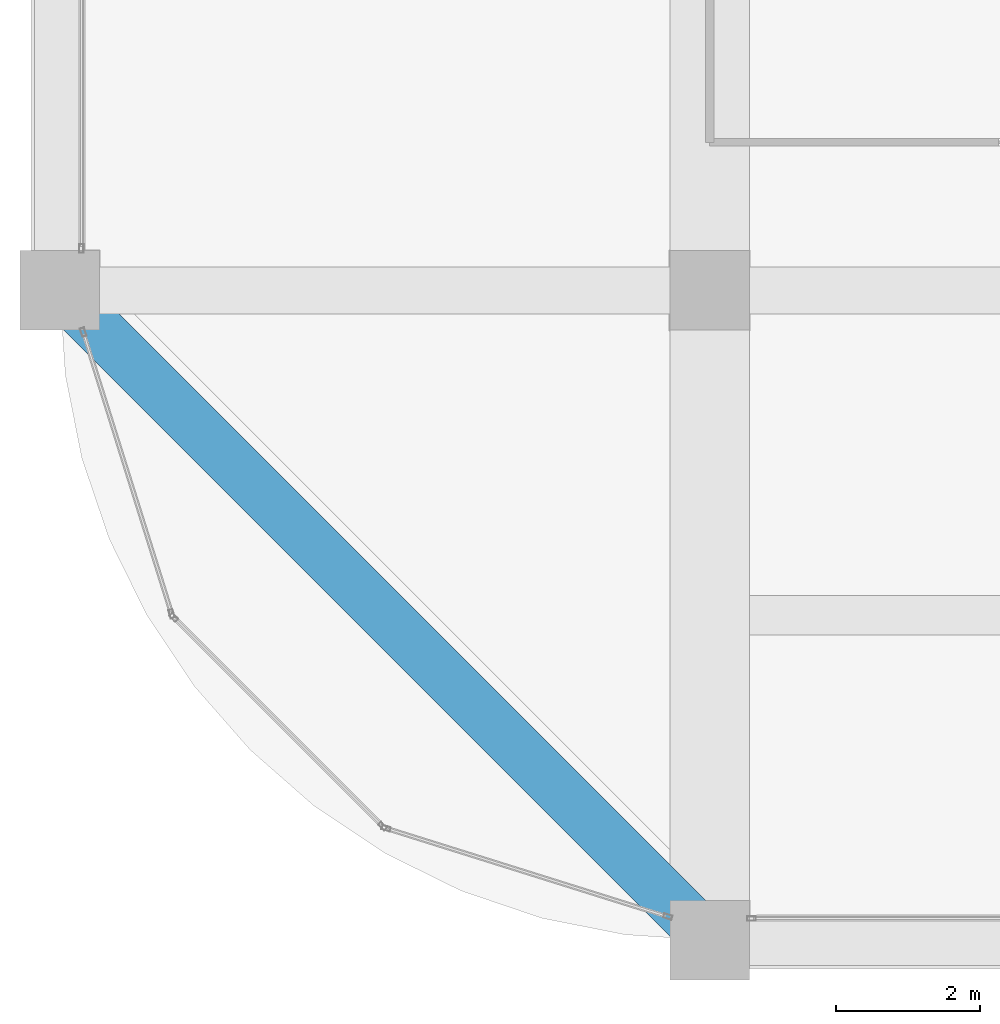
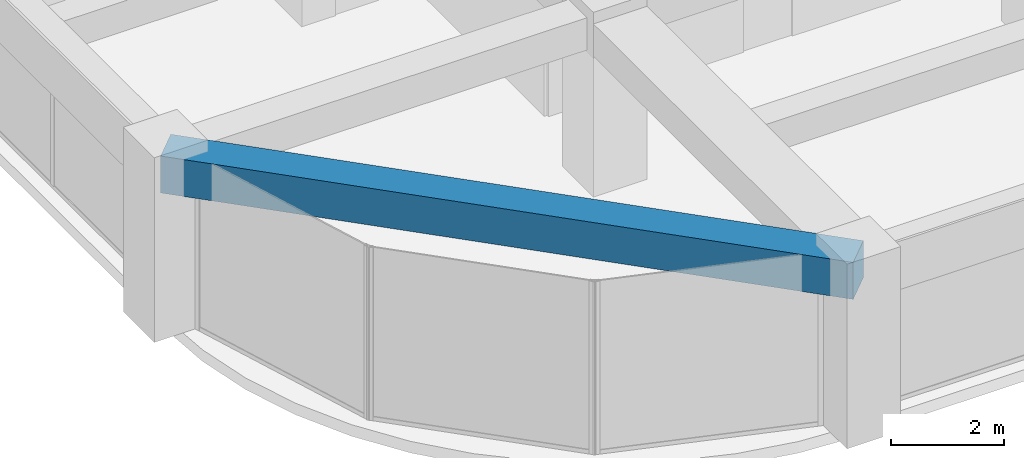
# One storey, part 3 of 44: 1 beam.
"""IFC4 building model written with IfcOpenShell, lengths in metres."""

from ifc_helpers import new_model, si_unit, direction, frame, origin, origin_2d, place, context, subcontext, project, spatial, rectangle, extrude, material, material_profile, profile_set, type_object, element, save


model = new_model("IFC4")

# Units and contexts
model_context = context("Model", 3, precision=1e-05, world=origin(), true_north=direction((0.0, 1.0)))
body_context = subcontext(model_context, "Body", "Model", "MODEL_VIEW")
ifc_project = project(units=[si_unit("LENGTHUNIT", "METRE"), si_unit("AREAUNIT", "SQUARE_METRE"), si_unit("VOLUMEUNIT", "CUBIC_METRE"), si_unit("PLANEANGLEUNIT", "RADIAN"), si_unit("MASSUNIT", "GRAM", prefix="KILO")], contexts=[model_context])

# Site, building, storey
site_placement = place(None, origin())
site = spatial("IfcSite", under=ifc_project, at=site_placement, CompositionType="ELEMENT")
building_placement = place(site_placement, origin())
building = spatial("IfcBuilding", under=site, at=building_placement, Name="Zorevar Civic Tower", CompositionType="ELEMENT")
storey_placement = place(building_placement, frame((0.0, 0.0, 255.39990234375)))
storey = spatial("IfcBuildingStorey", under=building, at=storey_placement, Name="L62", CompositionType="ELEMENT", Elevation=255.39990234375)

# Beam
ifc_material = material(Name="Concrete C50/60", Category="concrete")
ifc_material_profile = material_profile(ifc_material, rectangle(XDim=0.699951171875, YDim=0.800048828125, at=origin_2d()), Name="RC 700x800")
ifc_profile_set = profile_set([ifc_material_profile], Name="Concrete C50/60")
beam_type = type_object("IfcBeamType", Name="Edge beam RC 700x800", PredefinedType="SPANDREL", material=ifc_profile_set)
beam_placement = place(storey_placement, frame((9.0, 9.0, 3.35009765625), z_axis=(0.707106781187, -0.707106781187, 0.0), x_axis=(0.707106781187, 0.707106781187, 0.0)))
element("IfcBeam", 1, at=beam_placement, inside=storey, type_object=beam_type, Name="Corner edge beam L63", PredefinedType="SPANDREL", context=body_context, shape_type="SweptSolid", body=[
    extrude(rectangle(XDim=0.699951171875, YDim=0.800048828125, at=origin_2d()), origin(), (0.0, 0.0, 1.0), 12.72802734375),
])

save(model, "model.ifc")
